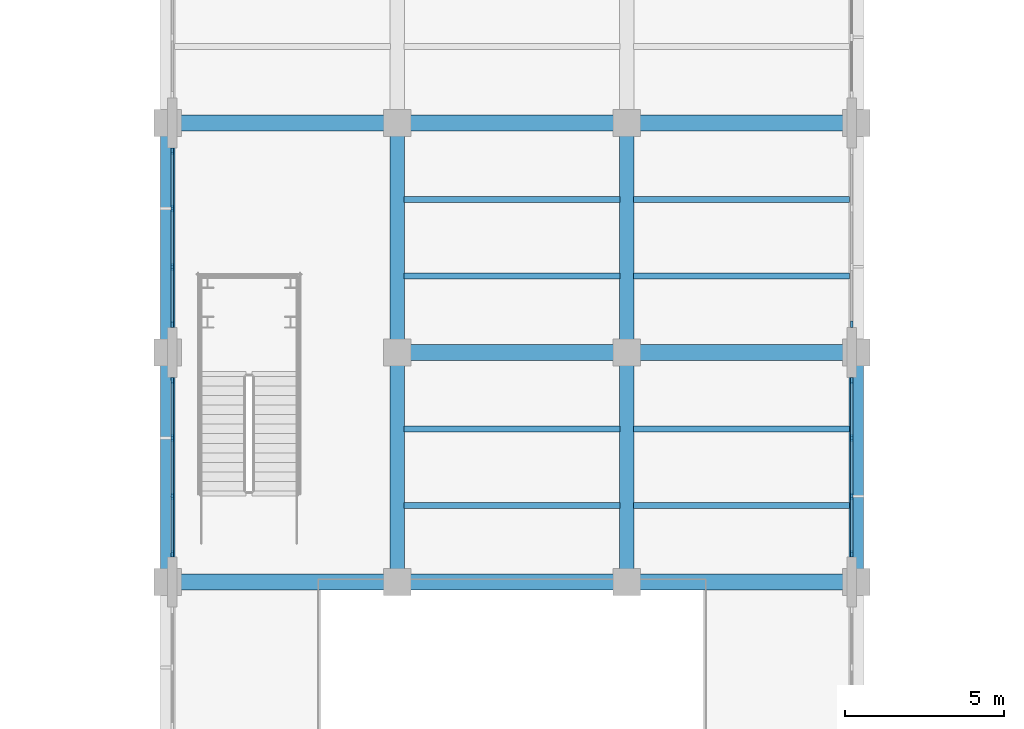
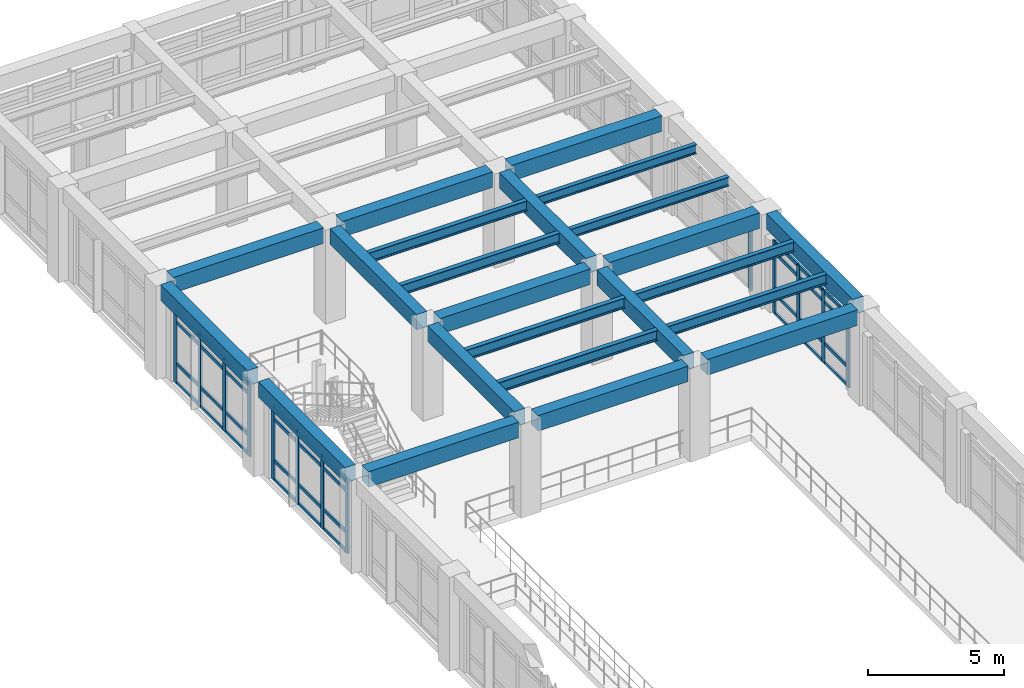
# One storey, part 47 of 98: 49 members, 23 beams, 4 elements without a shape of their own.
"""IFC4 building model written with IfcOpenShell, lengths in metres."""

from ifc_helpers import new_model, si_unit, direction, frame, origin, origin_2d, place, context, subcontext, project, spatial, rectangle, i_section, extrude, material, layer, layer_set, material_profile, profile_set, type_object, element, aggregate, save


model = new_model("IFC4")

# Units and contexts
model_context = context("Model", 3, precision=1e-05, world=origin(), true_north=direction((0.0, 1.0)))
body_context = subcontext(model_context, "Body", "Model", "MODEL_VIEW")
ifc_project = project(units=[si_unit("LENGTHUNIT", "METRE"), si_unit("AREAUNIT", "SQUARE_METRE"), si_unit("VOLUMEUNIT", "CUBIC_METRE"), si_unit("PLANEANGLEUNIT", "RADIAN"), si_unit("MASSUNIT", "GRAM", prefix="KILO")], contexts=[model_context])

# Site, building, storey
site_placement = place(None, origin())
site = spatial("IfcSite", under=ifc_project, at=site_placement, CompositionType="ELEMENT")
building_placement = place(site_placement, origin())
building = spatial("IfcBuilding", under=site, at=building_placement, Name="Solenvale Faculty of Natural Sciences", CompositionType="ELEMENT")
storey_placement = place(building_placement, frame((0.0, 0.0, 9.0)))
storey = spatial("IfcBuildingStorey", under=building, at=storey_placement, Name="L02", CompositionType="ELEMENT", Elevation=9.0)

# Beams
ifc_material_1 = material(Name="Concrete 40 MPa", Category="concrete")
ifc_material_profile_1 = material_profile(ifc_material_1, rectangle(XDim=0.449951171875, YDim=0.699951171875, at=origin_2d()), Name="RC-BM-450x700")
ifc_profile_set_1 = profile_set([ifc_material_profile_1], Name="Concrete 40 MPa")
beam_type_1 = type_object("IfcBeamType", Name="BM-RC-450x700", PredefinedType="BEAM", material=ifc_profile_set_1)
for number, where, z_axis, x_axis, name in (
    (1, (36.0, 65.205078125, 3.8701171875), (0.0, 1.0, 0.0), (-1.0, 0.0, 0.0), "L02 Y-Girder X36.0 (64.8..72.0)"),
    (2, (36.0, 72.405029296875, 3.8701171875), (0.0, 1.0, 0.0), (-1.0, 0.0, 0.0), "L02 Y-Girder X36.0 (72.0..79.2)"),
    (3, (43.199951171875, 65.205078125, 3.8701171875), (0.0, 1.0, 0.0), (-1.0, 0.0, 0.0), "L02 Y-Girder X43.2 (64.8..72.0)"),
    (4, (43.199951171875, 72.405029296875, 3.8701171875), (0.0, 1.0, 0.0), (-1.0, 0.0, 0.0), "L02 Y-Girder X43.2 (72.0..79.2)"),
    (5, (50.39990234375, 65.205078125, 3.8701171875), (0.0, 1.0, 0.0), (-1.0, 0.0, 0.0), "L02 Y-Girder X50.4 (64.8..72.0)"),
    (6, (50.39990234375, 72.405029296875, 3.8701171875), (0.0, 1.0, 0.0), (-1.0, 0.0, 0.0), "L02 Y-Girder X50.4 (72.0..79.2)"),
    (7, (57.60009765625, 65.205078125, 3.8701171875), (0.0, 1.0, 0.0), (-1.0, 0.0, 0.0), "L02 Y-Girder X57.6 (64.8..72.0)"),
):
    element("IfcBeam", number, at=place(storey_placement, frame(where, z_axis=z_axis, x_axis=x_axis)), inside=storey, type_object=beam_type_1, Name=name, PredefinedType="BEAM", context=body_context, shape_type="SweptSolid", body=[
        extrude(rectangle(XDim=0.449951171875, YDim=0.699951171875, at=origin_2d()), origin(), (0.0, 0.0, 1.0), 6.389892578125),
    ])
ifc_material_profile_2 = material_profile(ifc_material_1, rectangle(XDim=0.5, YDim=0.699951171875, at=origin_2d()), Name="RC-BM-500x700")
ifc_profile_set_2 = profile_set([ifc_material_profile_2], Name="Concrete 40 MPa")
beam_type_2 = type_object("IfcBeamType", Name="BM-RC-500x700", PredefinedType="BEAM", material=ifc_profile_set_2)
beam_1_placement = place(storey_placement, frame((36.405029296875, 64.800048828125, 3.8701171875), z_axis=(1.0, 0.0, 0.0), x_axis=(0.0, 1.0, 0.0)))
element("IfcBeam", 8, at=beam_1_placement, inside=storey, type_object=beam_type_2, Name="L02 X-Girder Y64.8 (36.0..43.2)", PredefinedType="BEAM", context=body_context, shape_type="SweptSolid", body=[
    extrude(rectangle(XDim=0.5, YDim=0.699951171875, at=origin_2d()), origin(), (0.0, 0.0, 1.0), 6.389892578125),
])
for number, where, z_axis, x_axis, name in (
    (9, (43.60498046875, 64.800048828125, 3.8701171875), (1.0, 0.0, 0.0), (0.0, 1.0, 0.0), "L02 X-Girder Y64.8 (43.2..50.4)"),
    (10, (50.804931640625, 64.800048828125, 3.8701171875), (1.0, 0.0, 0.0), (0.0, 1.0, 0.0), "L02 X-Girder Y64.8 (50.4..57.6)"),
    (11, (43.60498046875, 72.0, 3.8701171875), (1.0, 0.0, 0.0), (0.0, 1.0, 0.0), "L02 X-Girder Y72.0 (43.2..50.4)"),
    (12, (50.804931640625, 72.0, 3.8701171875), (1.0, 0.0, 0.0), (0.0, 1.0, 0.0), "L02 X-Girder Y72.0 (50.4..57.6)"),
):
    element("IfcBeam", number, at=place(storey_placement, frame(where, z_axis=z_axis, x_axis=x_axis)), inside=storey, type_object=beam_type_2, Name=name, PredefinedType="BEAM", context=body_context, shape_type="SweptSolid", body=[
        extrude(rectangle(XDim=0.5, YDim=0.699951171875, at=origin_2d()), origin(), (0.0, 0.0, 1.0), 6.39013671875),
    ])
beam_2_placement = place(storey_placement, frame((36.405029296875, 79.199951171875, 3.8701171875), z_axis=(1.0, 0.0, 0.0), x_axis=(0.0, 1.0, 0.0)))
element("IfcBeam", 13, at=beam_2_placement, inside=storey, type_object=beam_type_2, Name="L02 X-Girder Y79.2 (36.0..43.2)", PredefinedType="BEAM", context=body_context, shape_type="SweptSolid", body=[
    extrude(rectangle(XDim=0.5, YDim=0.699951171875, at=origin_2d()), origin(), (0.0, 0.0, 1.0), 6.389892578125),
])
for number, where, z_axis, x_axis, name in (
    (14, (43.60498046875, 79.199951171875, 3.8701171875), (1.0, 0.0, 0.0), (0.0, 1.0, 0.0), "L02 X-Girder Y79.2 (43.2..50.4)"),
    (15, (50.804931640625, 79.199951171875, 3.8701171875), (1.0, 0.0, 0.0), (0.0, 1.0, 0.0), "L02 X-Girder Y79.2 (50.4..57.6)"),
):
    element("IfcBeam", number, at=place(storey_placement, frame(where, z_axis=z_axis, x_axis=x_axis)), inside=storey, type_object=beam_type_2, Name=name, PredefinedType="BEAM", context=body_context, shape_type="SweptSolid", body=[
        extrude(rectangle(XDim=0.5, YDim=0.699951171875, at=origin_2d()), origin(), (0.0, 0.0, 1.0), 6.39013671875),
    ])
ifc_material_2 = material(Name="Steel S355", Category="steel")
ifc_material_profile_3 = material_profile(ifc_material_2, i_section(OverallWidth=0.180908203125, OverallDepth=0.4169921875, WebThickness=0.010986328125, FlangeThickness=0.018310546875, FilletRadius=0.01611328125, at=origin_2d()), Name="W410x85")
ifc_profile_set_3 = profile_set([ifc_material_profile_3], Name="Steel S355")
beam_type_3 = type_object("IfcBeamType", Name="BM-STL-W410x85", PredefinedType="JOIST", material=ifc_profile_set_3)
for number, where, z_axis, x_axis, name in (
    (16, (50.60498046875, 74.39990234375, 4.011474609375), (1.0, 0.0, 0.0), (0.0, 1.0, 0.0), "L02 Composite Floor Joist (8,11).1"),
    (17, (50.60498046875, 76.800048828125, 4.011474609375), (1.0, 0.0, 0.0), (0.0, 1.0, 0.0), "L02 Composite Floor Joist (8,11).2"),
):
    element("IfcBeam", number, at=place(storey_placement, frame(where, z_axis=z_axis, x_axis=x_axis)), inside=storey, type_object=beam_type_3, Name=name, PredefinedType="JOIST", context=body_context, shape_type="SweptSolid", body=[
        extrude(i_section(OverallWidth=0.180908203125, OverallDepth=0.4169921875, WebThickness=0.010986328125, FlangeThickness=0.018310546875, FilletRadius=0.01611328125, at=origin_2d()), origin(), (0.0, 0.0, 1.0), 6.7900390625),
    ])
ifc_material_profile_4 = material_profile(ifc_material_2, i_section(OverallWidth=0.194091796875, OverallDepth=0.468994140625, WebThickness=0.0126953125, FlangeThickness=0.0205078125, FilletRadius=0.01806640625, at=origin_2d()), Name="W460x106")
ifc_profile_set_4 = profile_set([ifc_material_profile_4], Name="Steel S355")
beam_type_4 = type_object("IfcBeamType", Name="BM-STL-W460x106", PredefinedType="JOIST", material=ifc_profile_set_4)
for number, where, z_axis, x_axis, name in (
    (18, (43.405029296875, 67.199951171875, 3.985595703125), (1.0, 0.0, 0.0), (0.0, 1.0, 0.0), "L02 Composite Floor Joist (7,10).1"),
    (19, (43.405029296875, 69.60009765625, 3.985595703125), (1.0, 0.0, 0.0), (0.0, 1.0, 0.0), "L02 Composite Floor Joist (7,10).2"),
):
    element("IfcBeam", number, at=place(storey_placement, frame(where, z_axis=z_axis, x_axis=x_axis)), inside=storey, type_object=beam_type_4, Name=name, PredefinedType="JOIST", context=body_context, shape_type="SweptSolid", body=[
        extrude(i_section(OverallWidth=0.194091796875, OverallDepth=0.468994140625, WebThickness=0.0126953125, FlangeThickness=0.0205078125, FilletRadius=0.01806640625, at=origin_2d()), origin(), (0.0, 0.0, 1.0), 6.7900390625),
    ])
ifc_material_profile_5 = material_profile(ifc_material_2, i_section(OverallWidth=0.19091796875, OverallDepth=0.4599609375, WebThickness=0.010009765625, FlangeThickness=0.01611328125, FilletRadius=0.01806640625, at=origin_2d()), Name="W460x82")
ifc_profile_set_5 = profile_set([ifc_material_profile_5], Name="Steel S355")
beam_type_5 = type_object("IfcBeamType", Name="BM-STL-W460x82", PredefinedType="JOIST", material=ifc_profile_set_5)
for number, where, z_axis, x_axis, name in (
    (20, (43.405029296875, 74.39990234375, 3.989990234375), (1.0, 0.0, 0.0), (0.0, 1.0, 0.0), "L02 Composite Floor Joist (7,11).1"),
    (21, (43.405029296875, 76.800048828125, 3.989990234375), (1.0, 0.0, 0.0), (0.0, 1.0, 0.0), "L02 Composite Floor Joist (7,11).2"),
    (22, (50.60498046875, 67.199951171875, 3.989990234375), (1.0, 0.0, 0.0), (0.0, 1.0, 0.0), "L02 Composite Floor Joist (8,10).1"),
    (23, (50.60498046875, 69.60009765625, 3.989990234375), (1.0, 0.0, 0.0), (0.0, 1.0, 0.0), "L02 Composite Floor Joist (8,10).2"),
):
    element("IfcBeam", number, at=place(storey_placement, frame(where, z_axis=z_axis, x_axis=x_axis)), inside=storey, type_object=beam_type_5, Name=name, PredefinedType="JOIST", context=body_context, shape_type="SweptSolid", body=[
        extrude(i_section(OverallWidth=0.19091796875, OverallDepth=0.4599609375, WebThickness=0.010009765625, FlangeThickness=0.01611328125, FilletRadius=0.01806640625, at=origin_2d()), origin(), (0.0, 0.0, 1.0), 6.7900390625),
    ])

# Curtain wall, members
ifc_material_3 = material(Name="Anodised bronze aluminium", Category="aluminium")
ifc_layer = layer(ifc_material_3, 0.215087890625)
ifc_layer_set = layer_set([ifc_layer], Name="Anodised bronze aluminium")
curtain_wall_type = type_object("IfcCurtainWallType", Name="CW-ATR-UNIT", PredefinedType="USERDEFINED", material=ifc_layer_set)
curtain_wall_1_placement = place(storey_placement, origin())
curtain_wall_1 = element("IfcCurtainWall", 24, at=curtain_wall_1_placement, inside=storey, type_object=curtain_wall_type, Name="L02 Curtain Wall CW-L02-P1-E7-B4", ObjectType="UNITISED CURTAIN WALL", PredefinedType="USERDEFINED")
ifc_material_profile_6 = material_profile(ifc_material_3, rectangle(XDim=0.074951171875, YDim=0.2099609375, at=origin_2d()), Name="ALU-MUL-75x210")
ifc_profile_set_6 = profile_set([ifc_material_profile_6], Name="Anodised bronze aluminium")
member_type_1 = type_object("IfcMemberType", Name="CWM-ALU-75x210", PredefinedType="MULLION", material=ifc_profile_set_6)
member_1_placement = place(storey_placement, frame((57.45751953125, 65.6875, 0.0), z_axis=(0.0, 0.0, 1.0), x_axis=(-1.0, 0.0, 0.0)))
member_1 = element("IfcMember", 25, at=member_1_placement, type_object=member_type_1, Name="CW-01 mullion 1", PredefinedType="MULLION", context=body_context, shape_type="SweptSolid", body=[
    extrude(rectangle(XDim=0.074951171875, YDim=0.2099609375, at=origin_2d()), origin(), (0.0, 0.0, 1.0), 3.260009765625),
])
member_2_placement = place(storey_placement, frame((57.45751953125, 67.4833984375, 0.0), z_axis=(0.0, 0.0, 1.0), x_axis=(-1.0, 0.0, 0.0)))
member_2 = element("IfcMember", 26, at=member_2_placement, type_object=member_type_1, Name="CW-01 mullion 2", PredefinedType="MULLION", context=body_context, shape_type="SweptSolid", body=[
    extrude(rectangle(XDim=0.074951171875, YDim=0.2099609375, at=origin_2d()), origin(), (0.0, 0.0, 1.0), 3.260009765625),
])
member_3_placement = place(storey_placement, frame((57.45751953125, 69.316650390625, 0.0), z_axis=(0.0, 0.0, 1.0), x_axis=(-1.0, 0.0, 0.0)))
member_3 = element("IfcMember", 27, at=member_3_placement, type_object=member_type_1, Name="CW-01 mullion 3", PredefinedType="MULLION", context=body_context, shape_type="SweptSolid", body=[
    extrude(rectangle(XDim=0.074951171875, YDim=0.2099609375, at=origin_2d()), origin(), (0.0, 0.0, 1.0), 3.260009765625),
])
member_4_placement = place(storey_placement, frame((57.45751953125, 71.112548828125, 0.0), z_axis=(0.0, 0.0, 1.0), x_axis=(-1.0, 0.0, 0.0)))
member_4 = element("IfcMember", 28, at=member_4_placement, type_object=member_type_1, Name="CW-01 mullion 4", PredefinedType="MULLION", context=body_context, shape_type="SweptSolid", body=[
    extrude(rectangle(XDim=0.074951171875, YDim=0.2099609375, at=origin_2d()), origin(), (0.0, 0.0, 1.0), 3.260009765625),
])

# Curtain wall, member
curtain_wall_2_placement = place(storey_placement, origin())
curtain_wall_2 = element("IfcCurtainWall", 29, at=curtain_wall_2_placement, inside=storey, type_object=curtain_wall_type, Name="L02 Curtain Wall CW-L02-P1-E7-B5", ObjectType="UNITISED CURTAIN WALL", PredefinedType="USERDEFINED")
member_5_placement = place(storey_placement, frame((57.45751953125, 72.887451171875, 0.0), z_axis=(0.0, 0.0, 1.0), x_axis=(-1.0, 0.0, 0.0)))
member_5 = element("IfcMember", 30, at=member_5_placement, type_object=member_type_1, Name="CW-01 mullion 1", PredefinedType="MULLION", context=body_context, shape_type="SweptSolid", body=[
    extrude(rectangle(XDim=0.074951171875, YDim=0.2099609375, at=origin_2d()), origin(), (0.0, 0.0, 1.0), 3.260009765625),
])
aggregate(curtain_wall_2, [member_5])

# Curtain wall, members
curtain_wall_3_placement = place(storey_placement, origin())
curtain_wall_3 = element("IfcCurtainWall", 31, at=curtain_wall_3_placement, inside=storey, type_object=curtain_wall_type, Name="L02 Curtain Wall CW-L02-P1-E9-B3", ObjectType="UNITISED CURTAIN WALL", PredefinedType="USERDEFINED")
member_6_placement = place(storey_placement, frame((36.142578125, 78.3125, 0.0), z_axis=(0.0, 0.0, 1.0), x_axis=(1.0, 0.0, 0.0)))
member_6 = element("IfcMember", 32, at=member_6_placement, type_object=member_type_1, Name="CW-01 mullion 1", PredefinedType="MULLION", context=body_context, shape_type="SweptSolid", body=[
    extrude(rectangle(XDim=0.074951171875, YDim=0.2099609375, at=origin_2d()), origin(), (0.0, 0.0, 1.0), 3.260009765625),
])
member_7_placement = place(storey_placement, frame((36.142578125, 76.5166015625, 0.0), z_axis=(0.0, 0.0, 1.0), x_axis=(1.0, 0.0, 0.0)))
member_7 = element("IfcMember", 33, at=member_7_placement, type_object=member_type_1, Name="CW-01 mullion 2", PredefinedType="MULLION", context=body_context, shape_type="SweptSolid", body=[
    extrude(rectangle(XDim=0.074951171875, YDim=0.2099609375, at=origin_2d()), origin(), (0.0, 0.0, 1.0), 3.260009765625),
])
member_8_placement = place(storey_placement, frame((36.142578125, 74.683349609375, 0.0), z_axis=(0.0, 0.0, 1.0), x_axis=(1.0, 0.0, 0.0)))
member_8 = element("IfcMember", 34, at=member_8_placement, type_object=member_type_1, Name="CW-01 mullion 3", PredefinedType="MULLION", context=body_context, shape_type="SweptSolid", body=[
    extrude(rectangle(XDim=0.074951171875, YDim=0.2099609375, at=origin_2d()), origin(), (0.0, 0.0, 1.0), 3.260009765625),
])
member_9_placement = place(storey_placement, frame((36.142578125, 72.887451171875, 0.0), z_axis=(0.0, 0.0, 1.0), x_axis=(1.0, 0.0, 0.0)))
member_9 = element("IfcMember", 35, at=member_9_placement, type_object=member_type_1, Name="CW-01 mullion 4", PredefinedType="MULLION", context=body_context, shape_type="SweptSolid", body=[
    extrude(rectangle(XDim=0.074951171875, YDim=0.2099609375, at=origin_2d()), origin(), (0.0, 0.0, 1.0), 3.260009765625),
])

curtain_wall_4_placement = place(storey_placement, origin())
curtain_wall_4 = element("IfcCurtainWall", 36, at=curtain_wall_4_placement, inside=storey, type_object=curtain_wall_type, Name="L02 Curtain Wall CW-L02-P1-E9-B4", ObjectType="UNITISED CURTAIN WALL", PredefinedType="USERDEFINED")
member_10_placement = place(storey_placement, frame((36.142578125, 71.112548828125, 0.0), z_axis=(0.0, 0.0, 1.0), x_axis=(1.0, 0.0, 0.0)))
member_10 = element("IfcMember", 37, at=member_10_placement, type_object=member_type_1, Name="CW-01 mullion 1", PredefinedType="MULLION", context=body_context, shape_type="SweptSolid", body=[
    extrude(rectangle(XDim=0.074951171875, YDim=0.2099609375, at=origin_2d()), origin(), (0.0, 0.0, 1.0), 3.260009765625),
])
member_11_placement = place(storey_placement, frame((36.142578125, 69.316650390625, 0.0), z_axis=(0.0, 0.0, 1.0), x_axis=(1.0, 0.0, 0.0)))
member_11 = element("IfcMember", 38, at=member_11_placement, type_object=member_type_1, Name="CW-01 mullion 2", PredefinedType="MULLION", context=body_context, shape_type="SweptSolid", body=[
    extrude(rectangle(XDim=0.074951171875, YDim=0.2099609375, at=origin_2d()), origin(), (0.0, 0.0, 1.0), 3.260009765625),
])
member_12_placement = place(storey_placement, frame((36.142578125, 67.4833984375, 0.0), z_axis=(0.0, 0.0, 1.0), x_axis=(1.0, 0.0, 0.0)))
member_12 = element("IfcMember", 39, at=member_12_placement, type_object=member_type_1, Name="CW-01 mullion 3", PredefinedType="MULLION", context=body_context, shape_type="SweptSolid", body=[
    extrude(rectangle(XDim=0.074951171875, YDim=0.2099609375, at=origin_2d()), origin(), (0.0, 0.0, 1.0), 3.260009765625),
])
member_13_placement = place(storey_placement, frame((36.142578125, 65.6875, 0.0), z_axis=(0.0, 0.0, 1.0), x_axis=(1.0, 0.0, 0.0)))
member_13 = element("IfcMember", 40, at=member_13_placement, type_object=member_type_1, Name="CW-01 mullion 4", PredefinedType="MULLION", context=body_context, shape_type="SweptSolid", body=[
    extrude(rectangle(XDim=0.074951171875, YDim=0.2099609375, at=origin_2d()), origin(), (0.0, 0.0, 1.0), 3.260009765625),
])

# Member
ifc_material_profile_7 = material_profile(ifc_material_3, rectangle(XDim=0.074951171875, YDim=0.155029296875, at=origin_2d()), Name="ALU-TRN-75x155")
ifc_profile_set_7 = profile_set([ifc_material_profile_7], Name="Anodised bronze aluminium")
member_type_2 = type_object("IfcMemberType", Name="CWT-ALU-75x155", PredefinedType="USERDEFINED", material=ifc_profile_set_7)
member_14_placement = place(storey_placement, frame((57.45751953125, 65.72509765625, 0.03759765625), z_axis=(0.0, 1.0, 0.0), x_axis=(-1.0, 0.0, 0.0)))
member_14 = element("IfcMember", 41, at=member_14_placement, type_object=member_type_2, Name="CW-01 transom 1.1", ObjectType="TRANSOM", PredefinedType="USERDEFINED", context=body_context, shape_type="SweptSolid", body=[
    extrude(rectangle(XDim=0.074951171875, YDim=0.155029296875, at=origin_2d()), origin(), (0.0, 0.0, 1.0), 1.720703125),
])

member_15_placement = place(storey_placement, frame((57.45751953125, 65.72509765625, 0.89990234375), z_axis=(0.0, 1.0, 0.0), x_axis=(-1.0, 0.0, 0.0)))
member_15 = element("IfcMember", 42, at=member_15_placement, type_object=member_type_2, Name="CW-01 transom 1.2", ObjectType="TRANSOM", PredefinedType="USERDEFINED", context=body_context, shape_type="SweptSolid", body=[
    extrude(rectangle(XDim=0.074951171875, YDim=0.155029296875, at=origin_2d()), origin(), (0.0, 0.0, 1.0), 1.720703125),
])

member_16_placement = place(storey_placement, frame((57.45751953125, 65.72509765625, 2.760009765625), z_axis=(0.0, 1.0, 0.0), x_axis=(-1.0, 0.0, 0.0)))
member_16 = element("IfcMember", 43, at=member_16_placement, type_object=member_type_2, Name="CW-01 transom 1.3", ObjectType="TRANSOM", PredefinedType="USERDEFINED", context=body_context, shape_type="SweptSolid", body=[
    extrude(rectangle(XDim=0.074951171875, YDim=0.155029296875, at=origin_2d()), origin(), (0.0, 0.0, 1.0), 1.720703125),
])

member_17_placement = place(storey_placement, frame((57.45751953125, 65.72509765625, 3.222412109375), z_axis=(0.0, 1.0, 0.0), x_axis=(-1.0, 0.0, 0.0)))
member_17 = element("IfcMember", 44, at=member_17_placement, type_object=member_type_2, Name="CW-01 transom 1.4", ObjectType="TRANSOM", PredefinedType="USERDEFINED", context=body_context, shape_type="SweptSolid", body=[
    extrude(rectangle(XDim=0.074951171875, YDim=0.155029296875, at=origin_2d()), origin(), (0.0, 0.0, 1.0), 1.720703125),
])

member_18_placement = place(storey_placement, frame((57.45751953125, 67.520751953125, 0.03759765625), z_axis=(0.0, 1.0, 0.0), x_axis=(-1.0, 0.0, 0.0)))
member_18 = element("IfcMember", 45, at=member_18_placement, type_object=member_type_2, Name="CW-01 transom 2.1", ObjectType="TRANSOM", PredefinedType="USERDEFINED", context=body_context, shape_type="SweptSolid", body=[
    extrude(rectangle(XDim=0.074951171875, YDim=0.155029296875, at=origin_2d()), origin(), (0.0, 0.0, 1.0), 1.75830078125),
])

member_19_placement = place(storey_placement, frame((57.45751953125, 67.520751953125, 0.89990234375), z_axis=(0.0, 1.0, 0.0), x_axis=(-1.0, 0.0, 0.0)))
member_19 = element("IfcMember", 46, at=member_19_placement, type_object=member_type_2, Name="CW-01 transom 2.2", ObjectType="TRANSOM", PredefinedType="USERDEFINED", context=body_context, shape_type="SweptSolid", body=[
    extrude(rectangle(XDim=0.074951171875, YDim=0.155029296875, at=origin_2d()), origin(), (0.0, 0.0, 1.0), 1.75830078125),
])

member_20_placement = place(storey_placement, frame((57.45751953125, 67.520751953125, 2.760009765625), z_axis=(0.0, 1.0, 0.0), x_axis=(-1.0, 0.0, 0.0)))
member_20 = element("IfcMember", 47, at=member_20_placement, type_object=member_type_2, Name="CW-01 transom 2.3", ObjectType="TRANSOM", PredefinedType="USERDEFINED", context=body_context, shape_type="SweptSolid", body=[
    extrude(rectangle(XDim=0.074951171875, YDim=0.155029296875, at=origin_2d()), origin(), (0.0, 0.0, 1.0), 1.75830078125),
])

member_21_placement = place(storey_placement, frame((57.45751953125, 67.520751953125, 3.222412109375), z_axis=(0.0, 1.0, 0.0), x_axis=(-1.0, 0.0, 0.0)))
member_21 = element("IfcMember", 48, at=member_21_placement, type_object=member_type_2, Name="CW-01 transom 2.4", ObjectType="TRANSOM", PredefinedType="USERDEFINED", context=body_context, shape_type="SweptSolid", body=[
    extrude(rectangle(XDim=0.074951171875, YDim=0.155029296875, at=origin_2d()), origin(), (0.0, 0.0, 1.0), 1.75830078125),
])

member_22_placement = place(storey_placement, frame((57.45751953125, 69.354248046875, 0.03759765625), z_axis=(0.0, 1.0, 0.0), x_axis=(-1.0, 0.0, 0.0)))
member_22 = element("IfcMember", 49, at=member_22_placement, type_object=member_type_2, Name="CW-01 transom 3.1", ObjectType="TRANSOM", PredefinedType="USERDEFINED", context=body_context, shape_type="SweptSolid", body=[
    extrude(rectangle(XDim=0.074951171875, YDim=0.155029296875, at=origin_2d()), origin(), (0.0, 0.0, 1.0), 1.720703125),
])

member_23_placement = place(storey_placement, frame((57.45751953125, 69.354248046875, 0.89990234375), z_axis=(0.0, 1.0, 0.0), x_axis=(-1.0, 0.0, 0.0)))
member_23 = element("IfcMember", 50, at=member_23_placement, type_object=member_type_2, Name="CW-01 transom 3.2", ObjectType="TRANSOM", PredefinedType="USERDEFINED", context=body_context, shape_type="SweptSolid", body=[
    extrude(rectangle(XDim=0.074951171875, YDim=0.155029296875, at=origin_2d()), origin(), (0.0, 0.0, 1.0), 1.720703125),
])

member_24_placement = place(storey_placement, frame((57.45751953125, 69.354248046875, 2.760009765625), z_axis=(0.0, 1.0, 0.0), x_axis=(-1.0, 0.0, 0.0)))
member_24 = element("IfcMember", 51, at=member_24_placement, type_object=member_type_2, Name="CW-01 transom 3.3", ObjectType="TRANSOM", PredefinedType="USERDEFINED", context=body_context, shape_type="SweptSolid", body=[
    extrude(rectangle(XDim=0.074951171875, YDim=0.155029296875, at=origin_2d()), origin(), (0.0, 0.0, 1.0), 1.720703125),
])

member_25_placement = place(storey_placement, frame((57.45751953125, 69.354248046875, 3.222412109375), z_axis=(0.0, 1.0, 0.0), x_axis=(-1.0, 0.0, 0.0)))
member_25 = element("IfcMember", 52, at=member_25_placement, type_object=member_type_2, Name="CW-01 transom 3.4", ObjectType="TRANSOM", PredefinedType="USERDEFINED", context=body_context, shape_type="SweptSolid", body=[
    extrude(rectangle(XDim=0.074951171875, YDim=0.155029296875, at=origin_2d()), origin(), (0.0, 0.0, 1.0), 1.720703125),
])

aggregate(curtain_wall_1, [member_1, member_2, member_3, member_4, member_14, member_15, member_16, member_17, member_18, member_19, member_20, member_21, member_22, member_23, member_24, member_25])

member_26_placement = place(storey_placement, frame((36.142578125, 78.27490234375, 0.03759765625), z_axis=(0.0, -1.0, 0.0), x_axis=(1.0, 0.0, 0.0)))
member_26 = element("IfcMember", 53, at=member_26_placement, type_object=member_type_2, Name="CW-01 transom 1.1", ObjectType="TRANSOM", PredefinedType="USERDEFINED", context=body_context, shape_type="SweptSolid", body=[
    extrude(rectangle(XDim=0.074951171875, YDim=0.155029296875, at=origin_2d()), origin(), (0.0, 0.0, 1.0), 1.720703125),
])

member_27_placement = place(storey_placement, frame((36.142578125, 78.27490234375, 0.89990234375), z_axis=(0.0, -1.0, 0.0), x_axis=(1.0, 0.0, 0.0)))
member_27 = element("IfcMember", 54, at=member_27_placement, type_object=member_type_2, Name="CW-01 transom 1.2", ObjectType="TRANSOM", PredefinedType="USERDEFINED", context=body_context, shape_type="SweptSolid", body=[
    extrude(rectangle(XDim=0.074951171875, YDim=0.155029296875, at=origin_2d()), origin(), (0.0, 0.0, 1.0), 1.720703125),
])

member_28_placement = place(storey_placement, frame((36.142578125, 78.27490234375, 2.760009765625), z_axis=(0.0, -1.0, 0.0), x_axis=(1.0, 0.0, 0.0)))
member_28 = element("IfcMember", 55, at=member_28_placement, type_object=member_type_2, Name="CW-01 transom 1.3", ObjectType="TRANSOM", PredefinedType="USERDEFINED", context=body_context, shape_type="SweptSolid", body=[
    extrude(rectangle(XDim=0.074951171875, YDim=0.155029296875, at=origin_2d()), origin(), (0.0, 0.0, 1.0), 1.720703125),
])

member_29_placement = place(storey_placement, frame((36.142578125, 78.27490234375, 3.222412109375), z_axis=(0.0, -1.0, 0.0), x_axis=(1.0, 0.0, 0.0)))
member_29 = element("IfcMember", 56, at=member_29_placement, type_object=member_type_2, Name="CW-01 transom 1.4", ObjectType="TRANSOM", PredefinedType="USERDEFINED", context=body_context, shape_type="SweptSolid", body=[
    extrude(rectangle(XDim=0.074951171875, YDim=0.155029296875, at=origin_2d()), origin(), (0.0, 0.0, 1.0), 1.720703125),
])

member_30_placement = place(storey_placement, frame((36.142578125, 76.479248046875, 0.03759765625), z_axis=(0.0, -1.0, 0.0), x_axis=(1.0, 0.0, 0.0)))
member_30 = element("IfcMember", 57, at=member_30_placement, type_object=member_type_2, Name="CW-01 transom 2.1", ObjectType="TRANSOM", PredefinedType="USERDEFINED", context=body_context, shape_type="SweptSolid", body=[
    extrude(rectangle(XDim=0.074951171875, YDim=0.155029296875, at=origin_2d()), origin(), (0.0, 0.0, 1.0), 1.75830078125),
])

member_31_placement = place(storey_placement, frame((36.142578125, 76.479248046875, 0.89990234375), z_axis=(0.0, -1.0, 0.0), x_axis=(1.0, 0.0, 0.0)))
member_31 = element("IfcMember", 58, at=member_31_placement, type_object=member_type_2, Name="CW-01 transom 2.2", ObjectType="TRANSOM", PredefinedType="USERDEFINED", context=body_context, shape_type="SweptSolid", body=[
    extrude(rectangle(XDim=0.074951171875, YDim=0.155029296875, at=origin_2d()), origin(), (0.0, 0.0, 1.0), 1.75830078125),
])

member_32_placement = place(storey_placement, frame((36.142578125, 76.479248046875, 2.760009765625), z_axis=(0.0, -1.0, 0.0), x_axis=(1.0, 0.0, 0.0)))
member_32 = element("IfcMember", 59, at=member_32_placement, type_object=member_type_2, Name="CW-01 transom 2.3", ObjectType="TRANSOM", PredefinedType="USERDEFINED", context=body_context, shape_type="SweptSolid", body=[
    extrude(rectangle(XDim=0.074951171875, YDim=0.155029296875, at=origin_2d()), origin(), (0.0, 0.0, 1.0), 1.75830078125),
])

member_33_placement = place(storey_placement, frame((36.142578125, 76.479248046875, 3.222412109375), z_axis=(0.0, -1.0, 0.0), x_axis=(1.0, 0.0, 0.0)))
member_33 = element("IfcMember", 60, at=member_33_placement, type_object=member_type_2, Name="CW-01 transom 2.4", ObjectType="TRANSOM", PredefinedType="USERDEFINED", context=body_context, shape_type="SweptSolid", body=[
    extrude(rectangle(XDim=0.074951171875, YDim=0.155029296875, at=origin_2d()), origin(), (0.0, 0.0, 1.0), 1.75830078125),
])

member_34_placement = place(storey_placement, frame((36.142578125, 74.645751953125, 0.03759765625), z_axis=(0.0, -1.0, 0.0), x_axis=(1.0, 0.0, 0.0)))
member_34 = element("IfcMember", 61, at=member_34_placement, type_object=member_type_2, Name="CW-01 transom 3.1", ObjectType="TRANSOM", PredefinedType="USERDEFINED", context=body_context, shape_type="SweptSolid", body=[
    extrude(rectangle(XDim=0.074951171875, YDim=0.155029296875, at=origin_2d()), origin(), (0.0, 0.0, 1.0), 1.720703125),
])

member_35_placement = place(storey_placement, frame((36.142578125, 74.645751953125, 0.89990234375), z_axis=(0.0, -1.0, 0.0), x_axis=(1.0, 0.0, 0.0)))
member_35 = element("IfcMember", 62, at=member_35_placement, type_object=member_type_2, Name="CW-01 transom 3.2", ObjectType="TRANSOM", PredefinedType="USERDEFINED", context=body_context, shape_type="SweptSolid", body=[
    extrude(rectangle(XDim=0.074951171875, YDim=0.155029296875, at=origin_2d()), origin(), (0.0, 0.0, 1.0), 1.720703125),
])

member_36_placement = place(storey_placement, frame((36.142578125, 74.645751953125, 2.760009765625), z_axis=(0.0, -1.0, 0.0), x_axis=(1.0, 0.0, 0.0)))
member_36 = element("IfcMember", 63, at=member_36_placement, type_object=member_type_2, Name="CW-01 transom 3.3", ObjectType="TRANSOM", PredefinedType="USERDEFINED", context=body_context, shape_type="SweptSolid", body=[
    extrude(rectangle(XDim=0.074951171875, YDim=0.155029296875, at=origin_2d()), origin(), (0.0, 0.0, 1.0), 1.720703125),
])

member_37_placement = place(storey_placement, frame((36.142578125, 74.645751953125, 3.222412109375), z_axis=(0.0, -1.0, 0.0), x_axis=(1.0, 0.0, 0.0)))
member_37 = element("IfcMember", 64, at=member_37_placement, type_object=member_type_2, Name="CW-01 transom 3.4", ObjectType="TRANSOM", PredefinedType="USERDEFINED", context=body_context, shape_type="SweptSolid", body=[
    extrude(rectangle(XDim=0.074951171875, YDim=0.155029296875, at=origin_2d()), origin(), (0.0, 0.0, 1.0), 1.720703125),
])

aggregate(curtain_wall_3, [member_6, member_7, member_8, member_9, member_26, member_27, member_28, member_29, member_30, member_31, member_32, member_33, member_34, member_35, member_36, member_37])

member_38_placement = place(storey_placement, frame((36.142578125, 71.074951171875, 0.03759765625), z_axis=(0.0, -1.0, 0.0), x_axis=(1.0, 0.0, 0.0)))
member_38 = element("IfcMember", 65, at=member_38_placement, type_object=member_type_2, Name="CW-01 transom 1.1", ObjectType="TRANSOM", PredefinedType="USERDEFINED", context=body_context, shape_type="SweptSolid", body=[
    extrude(rectangle(XDim=0.074951171875, YDim=0.155029296875, at=origin_2d()), origin(), (0.0, 0.0, 1.0), 1.720703125),
])

member_39_placement = place(storey_placement, frame((36.142578125, 71.074951171875, 0.89990234375), z_axis=(0.0, -1.0, 0.0), x_axis=(1.0, 0.0, 0.0)))
member_39 = element("IfcMember", 66, at=member_39_placement, type_object=member_type_2, Name="CW-01 transom 1.2", ObjectType="TRANSOM", PredefinedType="USERDEFINED", context=body_context, shape_type="SweptSolid", body=[
    extrude(rectangle(XDim=0.074951171875, YDim=0.155029296875, at=origin_2d()), origin(), (0.0, 0.0, 1.0), 1.720703125),
])

member_40_placement = place(storey_placement, frame((36.142578125, 71.074951171875, 2.760009765625), z_axis=(0.0, -1.0, 0.0), x_axis=(1.0, 0.0, 0.0)))
member_40 = element("IfcMember", 67, at=member_40_placement, type_object=member_type_2, Name="CW-01 transom 1.3", ObjectType="TRANSOM", PredefinedType="USERDEFINED", context=body_context, shape_type="SweptSolid", body=[
    extrude(rectangle(XDim=0.074951171875, YDim=0.155029296875, at=origin_2d()), origin(), (0.0, 0.0, 1.0), 1.720703125),
])

member_41_placement = place(storey_placement, frame((36.142578125, 71.074951171875, 3.222412109375), z_axis=(0.0, -1.0, 0.0), x_axis=(1.0, 0.0, 0.0)))
member_41 = element("IfcMember", 68, at=member_41_placement, type_object=member_type_2, Name="CW-01 transom 1.4", ObjectType="TRANSOM", PredefinedType="USERDEFINED", context=body_context, shape_type="SweptSolid", body=[
    extrude(rectangle(XDim=0.074951171875, YDim=0.155029296875, at=origin_2d()), origin(), (0.0, 0.0, 1.0), 1.720703125),
])

member_42_placement = place(storey_placement, frame((36.142578125, 69.279052734375, 0.03759765625), z_axis=(0.0, -1.0, 0.0), x_axis=(1.0, 0.0, 0.0)))
member_42 = element("IfcMember", 69, at=member_42_placement, type_object=member_type_2, Name="CW-01 transom 2.1", ObjectType="TRANSOM", PredefinedType="USERDEFINED", context=body_context, shape_type="SweptSolid", body=[
    extrude(rectangle(XDim=0.074951171875, YDim=0.155029296875, at=origin_2d()), origin(), (0.0, 0.0, 1.0), 1.75830078125),
])

member_43_placement = place(storey_placement, frame((36.142578125, 69.279052734375, 0.89990234375), z_axis=(0.0, -1.0, 0.0), x_axis=(1.0, 0.0, 0.0)))
member_43 = element("IfcMember", 70, at=member_43_placement, type_object=member_type_2, Name="CW-01 transom 2.2", ObjectType="TRANSOM", PredefinedType="USERDEFINED", context=body_context, shape_type="SweptSolid", body=[
    extrude(rectangle(XDim=0.074951171875, YDim=0.155029296875, at=origin_2d()), origin(), (0.0, 0.0, 1.0), 1.75830078125),
])

member_44_placement = place(storey_placement, frame((36.142578125, 69.279052734375, 2.760009765625), z_axis=(0.0, -1.0, 0.0), x_axis=(1.0, 0.0, 0.0)))
member_44 = element("IfcMember", 71, at=member_44_placement, type_object=member_type_2, Name="CW-01 transom 2.3", ObjectType="TRANSOM", PredefinedType="USERDEFINED", context=body_context, shape_type="SweptSolid", body=[
    extrude(rectangle(XDim=0.074951171875, YDim=0.155029296875, at=origin_2d()), origin(), (0.0, 0.0, 1.0), 1.75830078125),
])

member_45_placement = place(storey_placement, frame((36.142578125, 69.279052734375, 3.222412109375), z_axis=(0.0, -1.0, 0.0), x_axis=(1.0, 0.0, 0.0)))
member_45 = element("IfcMember", 72, at=member_45_placement, type_object=member_type_2, Name="CW-01 transom 2.4", ObjectType="TRANSOM", PredefinedType="USERDEFINED", context=body_context, shape_type="SweptSolid", body=[
    extrude(rectangle(XDim=0.074951171875, YDim=0.155029296875, at=origin_2d()), origin(), (0.0, 0.0, 1.0), 1.75830078125),
])

member_46_placement = place(storey_placement, frame((36.142578125, 67.44580078125, 0.03759765625), z_axis=(0.0, -1.0, 0.0), x_axis=(1.0, 0.0, 0.0)))
member_46 = element("IfcMember", 73, at=member_46_placement, type_object=member_type_2, Name="CW-01 transom 3.1", ObjectType="TRANSOM", PredefinedType="USERDEFINED", context=body_context, shape_type="SweptSolid", body=[
    extrude(rectangle(XDim=0.074951171875, YDim=0.155029296875, at=origin_2d()), origin(), (0.0, 0.0, 1.0), 1.720703125),
])

member_47_placement = place(storey_placement, frame((36.142578125, 67.44580078125, 0.89990234375), z_axis=(0.0, -1.0, 0.0), x_axis=(1.0, 0.0, 0.0)))
member_47 = element("IfcMember", 74, at=member_47_placement, type_object=member_type_2, Name="CW-01 transom 3.2", ObjectType="TRANSOM", PredefinedType="USERDEFINED", context=body_context, shape_type="SweptSolid", body=[
    extrude(rectangle(XDim=0.074951171875, YDim=0.155029296875, at=origin_2d()), origin(), (0.0, 0.0, 1.0), 1.720703125),
])

member_48_placement = place(storey_placement, frame((36.142578125, 67.44580078125, 2.760009765625), z_axis=(0.0, -1.0, 0.0), x_axis=(1.0, 0.0, 0.0)))
member_48 = element("IfcMember", 75, at=member_48_placement, type_object=member_type_2, Name="CW-01 transom 3.3", ObjectType="TRANSOM", PredefinedType="USERDEFINED", context=body_context, shape_type="SweptSolid", body=[
    extrude(rectangle(XDim=0.074951171875, YDim=0.155029296875, at=origin_2d()), origin(), (0.0, 0.0, 1.0), 1.720703125),
])

member_49_placement = place(storey_placement, frame((36.142578125, 67.44580078125, 3.222412109375), z_axis=(0.0, -1.0, 0.0), x_axis=(1.0, 0.0, 0.0)))
member_49 = element("IfcMember", 76, at=member_49_placement, type_object=member_type_2, Name="CW-01 transom 3.4", ObjectType="TRANSOM", PredefinedType="USERDEFINED", context=body_context, shape_type="SweptSolid", body=[
    extrude(rectangle(XDim=0.074951171875, YDim=0.155029296875, at=origin_2d()), origin(), (0.0, 0.0, 1.0), 1.720703125),
])

aggregate(curtain_wall_4, [member_10, member_11, member_12, member_13, member_38, member_39, member_40, member_41, member_42, member_43, member_44, member_45, member_46, member_47, member_48, member_49])

save(model, "model.ifc")
